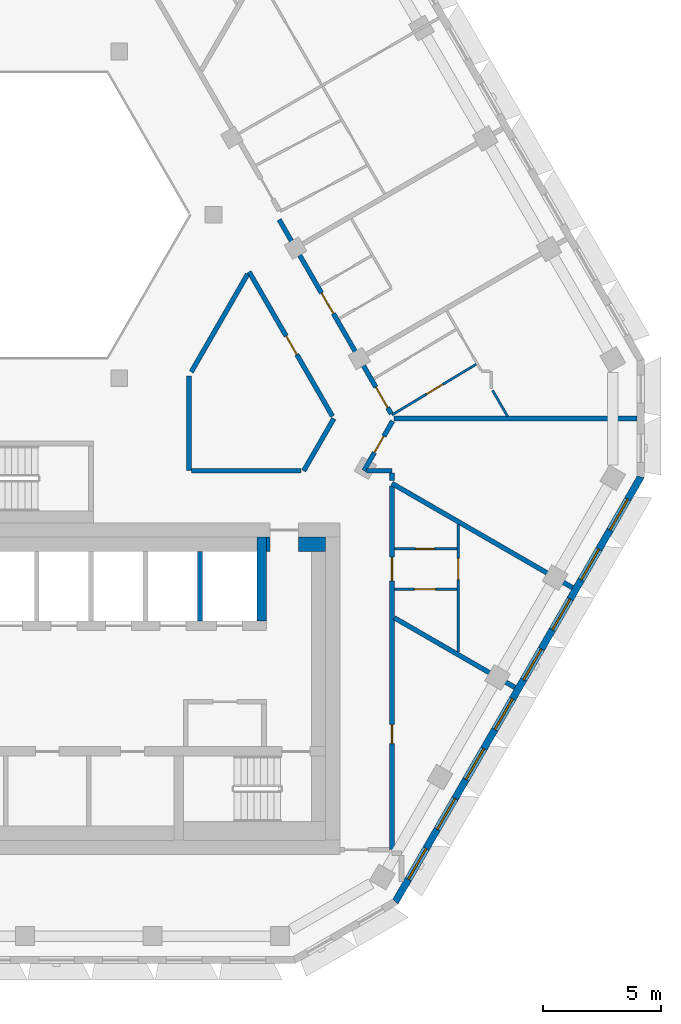
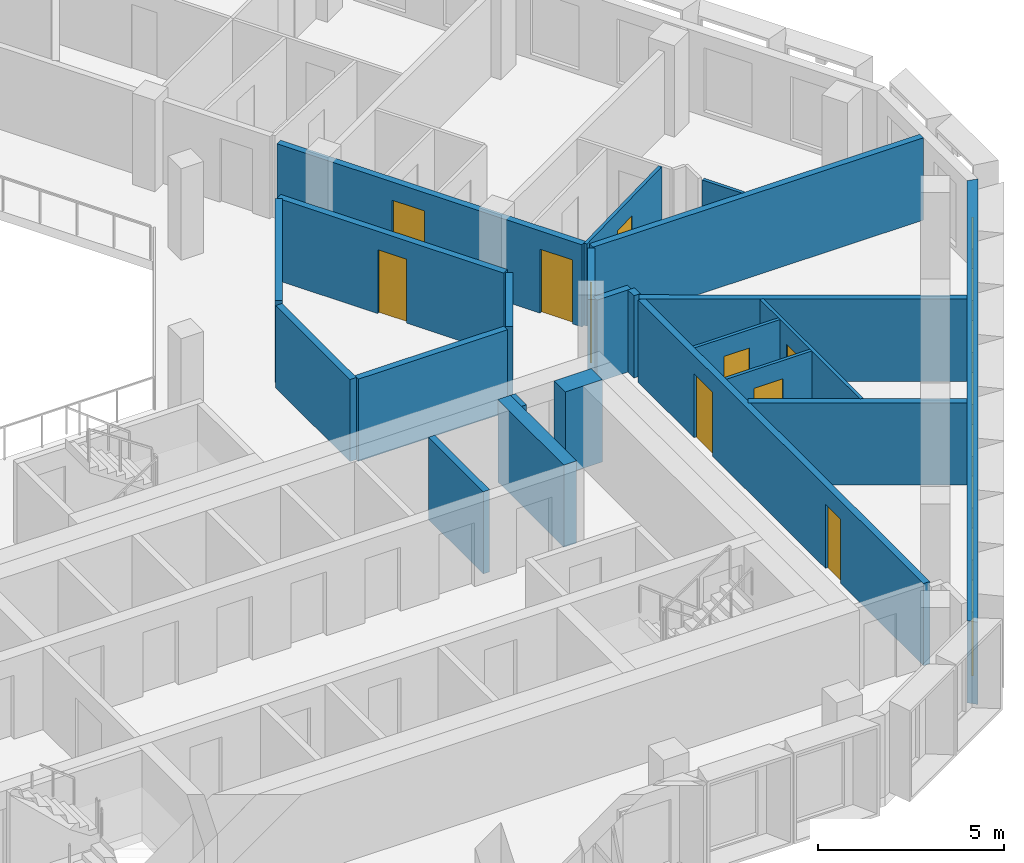
# One storey, part 6 of 18: 23 walls, 10 doors, 8 windows, 18 openings.
"""IFC4 building model written with IfcOpenShell, lengths in metres."""

from ifc_helpers import new_model, si_unit, direction, frame, frame_2d, origin, place, context, subcontext, project, spatial, polyline, rectangle, outline, extrude, material, layer, layer_set, type_object, element, fill, save


model = new_model("IFC4")

# Units and contexts
model_context = context("Model", 3, precision=1e-05, world=origin(), true_north=direction((0.0, 1.0)))
body_context = subcontext(model_context, "Body", "Model", "MODEL_VIEW")
ifc_project = project(units=[si_unit("LENGTHUNIT", "METRE"), si_unit("AREAUNIT", "SQUARE_METRE"), si_unit("VOLUMEUNIT", "CUBIC_METRE"), si_unit("PLANEANGLEUNIT", "RADIAN"), si_unit("MASSUNIT", "GRAM", prefix="KILO")], contexts=[model_context])

# Site, building, storey
site_placement = place(None, origin())
site = spatial("IfcSite", under=ifc_project, at=site_placement, CompositionType="ELEMENT")
building_placement = place(site_placement, origin())
building = spatial("IfcBuilding", under=site, at=building_placement, Name="Beryl Residences", CompositionType="ELEMENT")
storey_placement = place(building_placement, frame((0.0, 0.0, 190.199951171875)))
storey = spatial("IfcBuildingStorey", under=building, at=storey_placement, Name="L58", CompositionType="ELEMENT", Elevation=190.199951171875)

# Wall, openings, windows
ifc_material_1 = material(Name="Composite metal panel with mineral wool insulation")
ifc_layer_1 = layer(ifc_material_1, 0.300048828125)
ifc_layer_set_1 = layer_set([ifc_layer_1], Name="ES1 pale metal composite panel wall 300 mm")
wall_type_1 = type_object("IfcWallType", Name="ES1 pale metal composite panel wall 300 mm", PredefinedType="SOLIDWALL", material=ifc_layer_set_1)
wall_1_placement = place(storey_placement, frame((15.631103515625, -21.02490234375, 0.0), z_axis=(0.0, 0.0, 1.0), x_axis=(0.500018670445, 0.86601462413, 0.0)))
wall_1 = element("IfcWall", 1, at=wall_1_placement, inside=storey, type_object=wall_type_1, Name="ES1 external wall L58 SE", PredefinedType="SOLIDWALL", context=body_context, shape_type="SweptSolid", body=[
    extrude(outline(polyline([(0.0, -0.14990234375), (20.784912109375, -0.14990234375), (20.70458984375, 0.14990234375), (0.080322265625, 0.14990234375), (0.0, -0.14990234375)])), origin(), (0.0, 0.0, 1.0), 2.699951171875),
])
opening_1_placement = place(wall_1_placement, frame((1.1298828125, 0.0, 0.14990234375)))
opening_1 = element("IfcOpeningElement", 2, at=opening_1_placement, cuts=wall_1, Name="Opening W1", PredefinedType="OPENING", context=body_context, shape_type="SweptSolid", body=[
    extrude(rectangle(XDim=1.5, YDim=2.10009765625, at=frame_2d((0.75, 1.050048828125))), frame((0.0, 0.159912109375, 0.0), z_axis=(0.0, -1.0, 0.0), x_axis=(1.0, 0.0, 0.0)), (0.0, 0.0, 1.0), 0.320068359375),
])
opening_2_placement = place(wall_1_placement, frame((3.56201171875, 0.0, 0.14990234375)))
opening_2 = element("IfcOpeningElement", 3, at=opening_2_placement, cuts=wall_1, Name="Opening W1", PredefinedType="OPENING", context=body_context, shape_type="SweptSolid", body=[
    extrude(rectangle(XDim=1.5, YDim=2.10009765625, at=frame_2d((0.75, 1.050048828125))), frame((0.0, 0.159912109375, 0.0), z_axis=(0.0, -1.0, 0.0), x_axis=(1.0, 0.0, 0.0)), (0.0, 0.0, 1.0), 0.320068359375),
])
opening_3_placement = place(wall_1_placement, frame((5.993896484375, 0.0, 0.14990234375)))
opening_3 = element("IfcOpeningElement", 4, at=opening_3_placement, cuts=wall_1, Name="Opening W1", PredefinedType="OPENING", context=body_context, shape_type="SweptSolid", body=[
    extrude(rectangle(XDim=1.5, YDim=2.10009765625, at=frame_2d((0.75, 1.050048828125))), frame((0.0, 0.159912109375, 0.0), z_axis=(0.0, -1.0, 0.0), x_axis=(1.0, 0.0, 0.0)), (0.0, 0.0, 1.0), 0.320068359375),
])
opening_4_placement = place(wall_1_placement, frame((8.425048828125, 0.0, 0.14990234375)))
opening_4 = element("IfcOpeningElement", 5, at=opening_4_placement, cuts=wall_1, Name="Opening W1", PredefinedType="OPENING", context=body_context, shape_type="SweptSolid", body=[
    extrude(rectangle(XDim=1.5, YDim=2.10009765625, at=frame_2d((0.75, 1.050048828125))), frame((0.0, 0.159912109375, 0.0), z_axis=(0.0, -1.0, 0.0), x_axis=(1.0, 0.0, 0.0)), (0.0, 0.0, 1.0), 0.320068359375),
])
opening_5_placement = place(wall_1_placement, frame((10.85693359375, 0.0, 0.14990234375)))
opening_5 = element("IfcOpeningElement", 6, at=opening_5_placement, cuts=wall_1, Name="Opening W1", PredefinedType="OPENING", context=body_context, shape_type="SweptSolid", body=[
    extrude(rectangle(XDim=1.5, YDim=2.10009765625, at=frame_2d((0.75, 1.050048828125))), frame((0.0, 0.159912109375, 0.0), z_axis=(0.0, -1.0, 0.0), x_axis=(1.0, 0.0, 0.0)), (0.0, 0.0, 1.0), 0.320068359375),
])
opening_6_placement = place(wall_1_placement, frame((13.2890625, 0.0, 0.14990234375)))
opening_6 = element("IfcOpeningElement", 7, at=opening_6_placement, cuts=wall_1, Name="Opening W1", PredefinedType="OPENING", context=body_context, shape_type="SweptSolid", body=[
    extrude(rectangle(XDim=1.5, YDim=2.10009765625, at=frame_2d((0.75, 1.050048828125))), frame((0.0, 0.159912109375, 0.0), z_axis=(0.0, -1.0, 0.0), x_axis=(1.0, 0.0, 0.0)), (0.0, 0.0, 1.0), 0.320068359375),
])
opening_7_placement = place(wall_1_placement, frame((15.721923828125, 0.0, 0.14990234375)))
opening_7 = element("IfcOpeningElement", 8, at=opening_7_placement, cuts=wall_1, Name="Opening W1", PredefinedType="OPENING", context=body_context, shape_type="SweptSolid", body=[
    extrude(rectangle(XDim=1.5, YDim=2.10009765625, at=frame_2d((0.75, 1.050048828125))), frame((0.0, 0.159912109375, 0.0), z_axis=(0.0, -1.0, 0.0), x_axis=(1.0, 0.0, 0.0)), (0.0, 0.0, 1.0), 0.320068359375),
])
opening_8_placement = place(wall_1_placement, frame((18.154052734375, 0.0, 0.14990234375)))
opening_8 = element("IfcOpeningElement", 9, at=opening_8_placement, cuts=wall_1, Name="Opening W1", PredefinedType="OPENING", context=body_context, shape_type="SweptSolid", body=[
    extrude(rectangle(XDim=1.5, YDim=2.10009765625, at=frame_2d((0.75, 1.050048828125))), frame((0.0, 0.159912109375, 0.0), z_axis=(0.0, -1.0, 0.0), x_axis=(1.0, 0.0, 0.0)), (0.0, 0.0, 1.0), 0.320068359375),
])
ifc_material_2 = material(Name="Aluminium and clear glass", Category="aluminium")
window_type = type_object("IfcWindowType", Name="W1 cell window 1500 x 2100 mm", PartitioningType="SINGLE_PANEL", PredefinedType="WINDOW", material=ifc_material_2)
window_1_placement = place(opening_1_placement, origin())
window_1 = element("IfcWindow", 10, at=window_1_placement, inside=storey, type_object=window_type, Name="W1 window L58 SE 1", OverallHeight=2.10009765625, OverallWidth=1.5, PartitioningType="SINGLE_PANEL", PredefinedType="WINDOW", context=body_context, shape_type="SweptSolid", body=[
    extrude(rectangle(XDim=1.5, YDim=2.10009765625, at=frame_2d((0.75, 1.050048828125))), frame((0.0, 0.030029296875, 0.0), z_axis=(0.0, -1.0, 0.0), x_axis=(1.0, 0.0, 0.0)), (0.0, 0.0, 1.0), 0.06005859375),
])
fill(opening_1, window_1)
window_2_placement = place(opening_2_placement, origin())
window_2 = element("IfcWindow", 11, at=window_2_placement, inside=storey, type_object=window_type, Name="W1 window L58 SE 2", OverallHeight=2.10009765625, OverallWidth=1.5, PartitioningType="SINGLE_PANEL", PredefinedType="WINDOW", context=body_context, shape_type="SweptSolid", body=[
    extrude(rectangle(XDim=1.5, YDim=2.10009765625, at=frame_2d((0.75, 1.050048828125))), frame((0.0, 0.030029296875, 0.0), z_axis=(0.0, -1.0, 0.0), x_axis=(1.0, 0.0, 0.0)), (0.0, 0.0, 1.0), 0.06005859375),
])
fill(opening_2, window_2)
window_3_placement = place(opening_3_placement, origin())
window_3 = element("IfcWindow", 12, at=window_3_placement, inside=storey, type_object=window_type, Name="W1 window L58 SE 3", OverallHeight=2.10009765625, OverallWidth=1.5, PartitioningType="SINGLE_PANEL", PredefinedType="WINDOW", context=body_context, shape_type="SweptSolid", body=[
    extrude(rectangle(XDim=1.5, YDim=2.10009765625, at=frame_2d((0.75, 1.050048828125))), frame((0.0, 0.030029296875, 0.0), z_axis=(0.0, -1.0, 0.0), x_axis=(1.0, 0.0, 0.0)), (0.0, 0.0, 1.0), 0.06005859375),
])
fill(opening_3, window_3)
window_4_placement = place(opening_4_placement, origin())
window_4 = element("IfcWindow", 13, at=window_4_placement, inside=storey, type_object=window_type, Name="W1 window L58 SE 4", OverallHeight=2.10009765625, OverallWidth=1.5, PartitioningType="SINGLE_PANEL", PredefinedType="WINDOW", context=body_context, shape_type="SweptSolid", body=[
    extrude(rectangle(XDim=1.5, YDim=2.10009765625, at=frame_2d((0.75, 1.050048828125))), frame((0.0, 0.030029296875, 0.0), z_axis=(0.0, -1.0, 0.0), x_axis=(1.0, 0.0, 0.0)), (0.0, 0.0, 1.0), 0.06005859375),
])
fill(opening_4, window_4)
window_5_placement = place(opening_5_placement, origin())
window_5 = element("IfcWindow", 14, at=window_5_placement, inside=storey, type_object=window_type, Name="W1 window L58 SE 5", OverallHeight=2.10009765625, OverallWidth=1.5, PartitioningType="SINGLE_PANEL", PredefinedType="WINDOW", context=body_context, shape_type="SweptSolid", body=[
    extrude(rectangle(XDim=1.5, YDim=2.10009765625, at=frame_2d((0.75, 1.050048828125))), frame((0.0, 0.030029296875, 0.0), z_axis=(0.0, -1.0, 0.0), x_axis=(1.0, 0.0, 0.0)), (0.0, 0.0, 1.0), 0.06005859375),
])
fill(opening_5, window_5)
window_6_placement = place(opening_6_placement, origin())
window_6 = element("IfcWindow", 15, at=window_6_placement, inside=storey, type_object=window_type, Name="W1 window L58 SE 6", OverallHeight=2.10009765625, OverallWidth=1.5, PartitioningType="SINGLE_PANEL", PredefinedType="WINDOW", context=body_context, shape_type="SweptSolid", body=[
    extrude(rectangle(XDim=1.5, YDim=2.10009765625, at=frame_2d((0.75, 1.050048828125))), frame((0.0, 0.030029296875, 0.0), z_axis=(0.0, -1.0, 0.0), x_axis=(1.0, 0.0, 0.0)), (0.0, 0.0, 1.0), 0.06005859375),
])
fill(opening_6, window_6)
window_7_placement = place(opening_7_placement, origin())
window_7 = element("IfcWindow", 16, at=window_7_placement, inside=storey, type_object=window_type, Name="W1 window L58 SE 7", OverallHeight=2.10009765625, OverallWidth=1.5, PartitioningType="SINGLE_PANEL", PredefinedType="WINDOW", context=body_context, shape_type="SweptSolid", body=[
    extrude(rectangle(XDim=1.5, YDim=2.10009765625, at=frame_2d((0.75, 1.050048828125))), frame((0.0, 0.030029296875, 0.0), z_axis=(0.0, -1.0, 0.0), x_axis=(1.0, 0.0, 0.0)), (0.0, 0.0, 1.0), 0.06005859375),
])
fill(opening_7, window_7)
window_8_placement = place(opening_8_placement, origin())
window_8 = element("IfcWindow", 17, at=window_8_placement, inside=storey, type_object=window_type, Name="W1 window L58 SE 8", OverallHeight=2.10009765625, OverallWidth=1.5, PartitioningType="SINGLE_PANEL", PredefinedType="WINDOW", context=body_context, shape_type="SweptSolid", body=[
    extrude(rectangle(XDim=1.5, YDim=2.10009765625, at=frame_2d((0.75, 1.050048828125))), frame((0.0, 0.030029296875, 0.0), z_axis=(0.0, -1.0, 0.0), x_axis=(1.0, 0.0, 0.0)), (0.0, 0.0, 1.0), 0.06005859375),
])
fill(opening_8, window_8)

# Wall
ifc_material_3 = material(Name="Gypsum board partition on steel studs", Category="steel")
ifc_layer_2 = layer(ifc_material_3, 0.10009765625)
ifc_layer_set_2 = layer_set([ifc_layer_2], Name="PT1 partition 100 mm gypsum board on steel studs")
wall_type_2 = type_object("IfcWallType", Name="PT1 partition 100 mm gypsum board on steel studs", PredefinedType="PARTITIONING", material=ifc_layer_set_2)
wall_2_placement = place(storey_placement, frame((19.75, 0.592041015625, 0.0), z_axis=(0.0, 0.0, 1.0), x_axis=(0.499974077718, -0.866040369504, 0.0)))
element("IfcWall", 18, at=wall_2_placement, inside=storey, type_object=wall_type_2, Name="Wall PT1 L58 005", PredefinedType="PARTITIONING", context=body_context, shape_type="SweptSolid", body=[
    extrude(rectangle(XDim=1.259765625, YDim=0.10009765625, at=frame_2d((0.6298828125, 0.0))), origin(), (0.0, 0.0, 1.0), 2.699951171875),
])

# Wall, opening, door
wall_3_placement = place(storey_placement, frame((15.60009765625, -6.10107421875, 0.0), z_axis=(0.0, 0.0, 1.0), x_axis=(1.0, 0.0, 0.0)))
wall_3 = element("IfcWall", 19, at=wall_3_placement, inside=storey, type_object=wall_type_2, Name="Wall PT1 L58 018", PredefinedType="PARTITIONING", context=body_context, shape_type="SweptSolid", body=[
    extrude(rectangle(XDim=2.64990234375, YDim=0.10009765625, at=frame_2d((1.324951171875, 0.0))), origin(), (0.0, 0.0, 1.0), 2.699951171875),
])
opening_9_placement = place(wall_3_placement, frame((0.89990234375, 0.0, 0.0)))
opening_9 = element("IfcOpeningElement", 20, at=opening_9_placement, cuts=wall_3, Name="Opening D1535", PredefinedType="OPENING", context=body_context, shape_type="SweptSolid", body=[
    extrude(rectangle(XDim=0.800048828125, YDim=2.10009765625, at=frame_2d((0.39990234375, 1.050048828125))), frame((0.0, 0.06005859375, 0.0), z_axis=(0.0, -1.0, 0.0), x_axis=(1.0, 0.0, 0.0)), (0.0, 0.0, 1.0), 0.1201171875),
])
ifc_material_4 = material(Name="Timber door leaf", Category="wood")
door_type_1 = type_object("IfcDoorType", Name="D3 bathroom door 800 x 2100 mm", OperationType="SINGLE_SWING_LEFT", PredefinedType="DOOR", material=ifc_material_4)
door_1_placement = place(opening_9_placement, origin())
door_1 = element("IfcDoor", 21, at=door_1_placement, inside=storey, type_object=door_type_1, Name="Door D1535 L58 001", OperationType="SINGLE_SWING_LEFT", OverallHeight=2.10009765625, OverallWidth=0.800048828125, PredefinedType="DOOR", context=body_context, shape_type="SweptSolid", body=[
    extrude(rectangle(XDim=0.800048828125, YDim=2.10009765625, at=frame_2d((0.39990234375, 1.050048828125))), frame((0.0, 0.02490234375, 0.0), z_axis=(0.0, -1.0, 0.0), x_axis=(1.0, 0.0, 0.0)), (0.0, 0.0, 1.0), 0.050048828125),
])
fill(opening_9, door_1)

wall_4_placement = place(storey_placement, frame((15.60009765625, -7.801025390625, 0.0), z_axis=(0.0, 0.0, 1.0), x_axis=(1.0, 0.0, 0.0)))
wall_4 = element("IfcWall", 22, at=wall_4_placement, inside=storey, type_object=wall_type_2, Name="Wall PT1 L58 019", PredefinedType="PARTITIONING", context=body_context, shape_type="SweptSolid", body=[
    extrude(rectangle(XDim=2.64990234375, YDim=0.10009765625, at=frame_2d((1.324951171875, 0.0))), origin(), (0.0, 0.0, 1.0), 2.699951171875),
])
opening_10_placement = place(wall_4_placement, frame((0.85009765625, 0.0, 0.0)))
opening_10 = element("IfcOpeningElement", 23, at=opening_10_placement, cuts=wall_4, Name="Opening D1536", PredefinedType="OPENING", context=body_context, shape_type="SweptSolid", body=[
    extrude(rectangle(XDim=0.89990234375, YDim=2.10009765625, at=frame_2d((0.449951171875, 1.050048828125))), frame((0.0, 0.06005859375, 0.0), z_axis=(0.0, -1.0, 0.0), x_axis=(1.0, 0.0, 0.0)), (0.0, 0.0, 1.0), 0.1201171875),
])
ifc_material_5 = material(Name="Timber door leaf", Category="wood")
door_type_2 = type_object("IfcDoorType", Name="D2 room door 900 x 2100 mm", OperationType="SINGLE_SWING_LEFT", PredefinedType="DOOR", material=ifc_material_5)
door_2_placement = place(opening_10_placement, origin())
door_2 = element("IfcDoor", 24, at=door_2_placement, inside=storey, type_object=door_type_2, Name="Door D1536 L58 001", OperationType="SINGLE_SWING_RIGHT", OverallHeight=2.10009765625, OverallWidth=0.89990234375, PredefinedType="DOOR", context=body_context, shape_type="SweptSolid", body=[
    extrude(rectangle(XDim=0.89990234375, YDim=2.10009765625, at=frame_2d((0.449951171875, 1.050048828125))), frame((0.0, 0.02490234375, 0.0), z_axis=(0.0, -1.0, 0.0), x_axis=(1.0, 0.0, 0.0)), (0.0, 0.0, 1.0), 0.050048828125),
])
fill(opening_10, door_2)

wall_5_placement = place(storey_placement, frame((18.300048828125, -10.451904296875, 0.0), z_axis=(0.0, 0.0, 1.0), x_axis=(0.0, 1.0, 0.0)))
wall_5 = element("IfcWall", 25, at=wall_5_placement, inside=storey, type_object=wall_type_2, Name="Wall PT1 L58 032", PredefinedType="PARTITIONING", context=body_context, shape_type="SweptSolid", body=[
    extrude(rectangle(XDim=5.385986328125, YDim=0.10009765625, at=frame_2d((2.69287109375, 0.0))), origin(), (0.0, 0.0, 1.0), 2.699951171875),
])
opening_11_placement = place(wall_5_placement, frame((3.051025390625, 0.0, 0.0)))
opening_11 = element("IfcOpeningElement", 26, at=opening_11_placement, cuts=wall_5, Name="Opening D1537", PredefinedType="OPENING", context=body_context, shape_type="SweptSolid", body=[
    extrude(rectangle(XDim=0.89990234375, YDim=2.10009765625, at=frame_2d((0.449951171875, 1.050048828125))), frame((0.0, 0.06005859375, 0.0), z_axis=(0.0, -1.0, 0.0), x_axis=(1.0, 0.0, 0.0)), (0.0, 0.0, 1.0), 0.1201171875),
])
door_3_placement = place(opening_11_placement, origin())
door_3 = element("IfcDoor", 27, at=door_3_placement, inside=storey, type_object=door_type_2, Name="Door D1537 L58 001", OperationType="SINGLE_SWING_LEFT", OverallHeight=2.10009765625, OverallWidth=0.89990234375, PredefinedType="DOOR", context=body_context, shape_type="SweptSolid", body=[
    extrude(rectangle(XDim=0.89990234375, YDim=2.10009765625, at=frame_2d((0.449951171875, 1.050048828125))), frame((0.0, 0.02490234375, 0.0), z_axis=(0.0, -1.0, 0.0), x_axis=(1.0, 0.0, 0.0)), (0.0, 0.0, 1.0), 0.050048828125),
])
fill(opening_11, door_3)

wall_6_placement = place(storey_placement, frame((15.4990234375, -0.444091796875, 0.0), z_axis=(0.0, 0.0, 1.0), x_axis=(0.857061798163, 0.515213619899, 0.0)))
wall_6 = element("IfcWall", 28, at=wall_6_placement, inside=storey, type_object=wall_type_2, Name="Wall PT1 L58 048", PredefinedType="PARTITIONING", context=body_context, shape_type="SweptSolid", body=[
    extrude(rectangle(XDim=4.150146484375, YDim=0.10009765625, at=frame_2d((2.0751953125, 0.0))), origin(), (0.0, 0.0, 1.0), 2.699951171875),
])
opening_12_placement = place(wall_6_placement, frame((1.699951171875, 0.0, 0.0)))
opening_12 = element("IfcOpeningElement", 29, at=opening_12_placement, cuts=wall_6, Name="Opening D1541", PredefinedType="OPENING", context=body_context, shape_type="SweptSolid", body=[
    extrude(rectangle(XDim=0.800048828125, YDim=2.10009765625, at=frame_2d((0.39990234375, 1.050048828125))), frame((0.0, 0.06005859375, 0.0), z_axis=(0.0, -1.0, 0.0), x_axis=(1.0, 0.0, 0.0)), (0.0, 0.0, 1.0), 0.1201171875),
])
door_4_placement = place(opening_12_placement, origin())
door_4 = element("IfcDoor", 30, at=door_4_placement, inside=storey, type_object=door_type_1, Name="Door D1541 L58 001", OperationType="SINGLE_SWING_LEFT", OverallHeight=2.10009765625, OverallWidth=0.800048828125, PredefinedType="DOOR", context=body_context, shape_type="SweptSolid", body=[
    extrude(rectangle(XDim=0.800048828125, YDim=2.10009765625, at=frame_2d((0.39990234375, 1.050048828125))), frame((0.0, 0.02490234375, 0.0), z_axis=(0.0, -1.0, 0.0), x_axis=(1.0, 0.0, 0.0)), (0.0, 0.0, 1.0), 0.050048828125),
])
fill(opening_12, door_4)

# Walls
ifc_material_6 = material(Name="Concrete masonry", Category="masonry")
ifc_layer_3 = layer(ifc_material_6, 0.14990234375)
ifc_layer_set_3 = layer_set([ifc_layer_3], Name="PT13-150 lobby wall 150 mm")
wall_type_3 = type_object("IfcWallType", Name="PT13-150 lobby wall 150 mm", PredefinedType="PARTITIONING", material=ifc_layer_set_3)
wall_7_placement = place(storey_placement, frame((10.27490234375, -6.199951171875, 0.0), z_axis=(0.0, 0.0, 1.0), x_axis=(0.0, 1.0, 0.0)))
element("IfcWall", 31, at=wall_7_placement, inside=storey, type_object=wall_type_3, Name="Lobby wall 28", PredefinedType="PARTITIONING", context=body_context, shape_type="SweptSolid", body=[
    extrude(rectangle(XDim=0.599853515625, YDim=0.14990234375, at=frame_2d((0.2998046875, 0.0))), origin(), (0.0, 0.0, 1.0), 2.699951171875),
])
ifc_material_7 = material(Name="Concrete masonry", Category="masonry")
ifc_layer_4 = layer(ifc_material_7, 0.60009765625)
ifc_layer_set_4 = layer_set([ifc_layer_4], Name="PT13-600 lobby wall 600 mm")
wall_type_4 = type_object("IfcWallType", Name="PT13-600 lobby wall 600 mm", PredefinedType="PARTITIONING", material=ifc_layer_set_4)
wall_8_placement = place(storey_placement, frame((11.550048828125, -5.89990234375, 0.0), z_axis=(0.0, 0.0, 1.0), x_axis=(1.0, 0.0, 0.0)))
element("IfcWall", 32, at=wall_8_placement, inside=storey, type_object=wall_type_4, Name="Lobby wall 29", PredefinedType="PARTITIONING", context=body_context, shape_type="SweptSolid", body=[
    extrude(rectangle(XDim=1.14990234375, YDim=0.60009765625, at=frame_2d((0.574951171875, 0.0))), origin(), (0.0, 0.0, 1.0), 2.699951171875),
])
ifc_material_8 = material(Name="Acoustic double stud gypsum board wall")
ifc_layer_5 = layer(ifc_material_8, 0.199951171875)
ifc_layer_set_5 = layer_set([ifc_layer_5], Name="PT3 party wall 200 mm acoustic double stud")
wall_type_5 = type_object("IfcWallType", Name="PT3 party wall 200 mm acoustic double stud", PredefinedType="PARTITIONING", material=ifc_layer_set_5)
wall_9_placement = place(storey_placement, frame((15.60009765625, -9.008056640625, 0.0), z_axis=(0.0, 0.0, 1.0), x_axis=(0.866013576751, -0.500020484464, 0.0)))
element("IfcWall", 33, at=wall_9_placement, inside=storey, type_object=wall_type_5, Name="Wall PT3 L58 005", PredefinedType="PARTITIONING", context=body_context, shape_type="SweptSolid", body=[
    extrude(rectangle(XDim=5.885498046875, YDim=0.199951171875, at=frame_2d((2.94287109375, 0.0))), origin(), (0.0, 0.0, 1.0), 2.699951171875),
])
wall_10_placement = place(storey_placement, frame((15.5, -3.333984375, 0.0), z_axis=(0.0, 0.0, 1.0), x_axis=(0.866001896501, -0.5000407136, 0.0)))
element("IfcWall", 34, at=wall_10_placement, inside=storey, type_object=wall_type_5, Name="Wall PT3 L58 006", PredefinedType="PARTITIONING", context=body_context, shape_type="SweptSolid", body=[
    extrude(rectangle(XDim=8.809326171875, YDim=0.199951171875, at=frame_2d((4.40478515625, 0.0))), origin(), (0.0, 0.0, 1.0), 2.699951171875),
])
wall_11_placement = place(storey_placement, frame((15.587890625, -0.59912109375, 0.0), z_axis=(0.0, 0.0, 1.0), x_axis=(1.0, 0.0, 0.0)))
element("IfcWall", 35, at=wall_11_placement, inside=storey, type_object=wall_type_5, Name="Wall PT3 L58 007", PredefinedType="PARTITIONING", context=body_context, shape_type="SweptSolid", body=[
    extrude(rectangle(XDim=10.26611328125, YDim=0.199951171875, at=frame_2d((5.133056640625, 0.0))), origin(), (0.0, 0.0, 1.0), 2.699951171875),
])

# Wall, opening, door
ifc_material_9 = material(Name="Double stud gypsum board wall")
ifc_layer_6 = layer(ifc_material_9, 0.199951171875)
ifc_layer_set_6 = layer_set([ifc_layer_6], Name="PT4 corridor wall 200 mm double stud")
wall_type_6 = type_object("IfcWallType", Name="PT4 corridor wall 200 mm double stud", PredefinedType="PARTITIONING", material=ifc_layer_set_6)
wall_12_placement = place(storey_placement, frame((9.468994140625, 5.60009765625, 0.0), z_axis=(0.0, 0.0, 1.0), x_axis=(0.499964524401, -0.866045884662, 0.0)))
wall_12 = element("IfcWall", 36, at=wall_12_placement, inside=storey, type_object=wall_type_6, Name="Wall PT4 L58 004", PredefinedType="PARTITIONING", context=body_context, shape_type="SweptSolid", body=[
    extrude(rectangle(XDim=7.04248046875, YDim=0.199951171875, at=frame_2d((3.521240234375, 0.0))), origin(), (0.0, 0.0, 1.0), 2.699951171875),
])
opening_13_placement = place(wall_12_placement, frame((3.12890625, 0.0, 0.0)))
opening_13 = element("IfcOpeningElement", 37, at=opening_13_placement, cuts=wall_12, Name="Opening D1547", PredefinedType="OPENING", context=body_context, shape_type="SweptSolid", body=[
    extrude(rectangle(XDim=0.89990234375, YDim=2.10009765625, at=frame_2d((0.449951171875, 1.050048828125))), frame((0.0, 0.10986328125, 0.0), z_axis=(0.0, -1.0, 0.0), x_axis=(1.0, 0.0, 0.0)), (0.0, 0.0, 1.0), 0.219970703125),
])
door_5_placement = place(opening_13_placement, origin())
door_5 = element("IfcDoor", 38, at=door_5_placement, inside=storey, type_object=door_type_2, Name="Door D1547 L58 001", OperationType="SINGLE_SWING_LEFT", OverallHeight=2.10009765625, OverallWidth=0.89990234375, PredefinedType="DOOR", context=body_context, shape_type="SweptSolid", body=[
    extrude(rectangle(XDim=0.89990234375, YDim=2.10009765625, at=frame_2d((0.449951171875, 1.050048828125))), frame((0.0, 0.02490234375, 0.0), z_axis=(0.0, -1.0, 0.0), x_axis=(1.0, 0.0, 0.0)), (0.0, 0.0, 1.0), 0.050048828125),
])
fill(opening_13, door_5)

# Wall, openings, doors
wall_13_placement = place(storey_placement, frame((10.739013671875, 7.800048828125, 0.0), z_axis=(0.0, 0.0, 1.0), x_axis=(0.500023726918, -0.866011704609, 0.0)))
wall_13 = element("IfcWall", 39, at=wall_13_placement, inside=storey, type_object=wall_type_6, Name="Wall PT4 L58 005", PredefinedType="PARTITIONING", context=body_context, shape_type="SweptSolid", body=[
    extrude(rectangle(XDim=9.4697265625, YDim=0.199951171875, at=frame_2d((4.73486328125, 0.0))), origin(), (0.0, 0.0, 1.0), 2.699951171875),
])
opening_14_placement = place(wall_13_placement, frame((8.16796875, 0.0, 0.0)))
opening_14 = element("IfcOpeningElement", 40, at=opening_14_placement, cuts=wall_13, Name="Opening D1539", PredefinedType="OPENING", context=body_context, shape_type="SweptSolid", body=[
    extrude(rectangle(XDim=1.0, YDim=2.10009765625, at=frame_2d((0.5, 1.050048828125))), frame((0.0, 0.10986328125, 0.0), z_axis=(0.0, -1.0, 0.0), x_axis=(1.0, 0.0, 0.0)), (0.0, 0.0, 1.0), 0.219970703125),
])
opening_15_placement = place(wall_13_placement, frame((3.577880859375, 0.0, 0.0)))
opening_15 = element("IfcOpeningElement", 41, at=opening_15_placement, cuts=wall_13, Name="Opening D1543", PredefinedType="OPENING", context=body_context, shape_type="SweptSolid", body=[
    extrude(rectangle(XDim=1.0, YDim=2.10009765625, at=frame_2d((0.5, 1.050048828125))), frame((0.0, 0.10986328125, 0.0), z_axis=(0.0, -1.0, 0.0), x_axis=(1.0, 0.0, 0.0)), (0.0, 0.0, 1.0), 0.219970703125),
])
ifc_material_10 = material(Name="Timber door leaf", Category="wood")
door_type_3 = type_object("IfcDoorType", Name="D1 flat entrance door 1000 x 2100 mm", OperationType="SINGLE_SWING_LEFT", PredefinedType="DOOR", material=ifc_material_10)
door_6_placement = place(opening_14_placement, origin())
door_6 = element("IfcDoor", 42, at=door_6_placement, inside=storey, type_object=door_type_3, Name="Door D1539 L58 001", OperationType="SINGLE_SWING_LEFT", OverallHeight=2.10009765625, OverallWidth=1.0, PredefinedType="DOOR", context=body_context, shape_type="SweptSolid", body=[
    extrude(rectangle(XDim=1.0, YDim=2.10009765625, at=frame_2d((0.5, 1.050048828125))), frame((0.0, 0.02490234375, 0.0), z_axis=(0.0, -1.0, 0.0), x_axis=(1.0, 0.0, 0.0)), (0.0, 0.0, 1.0), 0.050048828125),
])
fill(opening_14, door_6)
door_7_placement = place(opening_15_placement, origin())
door_7 = element("IfcDoor", 43, at=door_7_placement, inside=storey, type_object=door_type_3, Name="Door D1543 L58 001", OperationType="SINGLE_SWING_LEFT", OverallHeight=2.10009765625, OverallWidth=1.0, PredefinedType="DOOR", context=body_context, shape_type="SweptSolid", body=[
    extrude(rectangle(XDim=1.0, YDim=2.10009765625, at=frame_2d((0.5, 1.050048828125))), frame((0.0, 0.02490234375, 0.0), z_axis=(0.0, -1.0, 0.0), x_axis=(1.0, 0.0, 0.0)), (0.0, 0.0, 1.0), 0.050048828125),
])
fill(opening_15, door_7)

# Walls
wall_14_placement = place(storey_placement, frame((15.5, -2.90087890625, 0.0), z_axis=(0.0, 0.0, 1.0), x_axis=(0.0, -1.0, 0.0)))
element("IfcWall", 44, at=wall_14_placement, inside=storey, type_object=wall_type_6, Name="Wall PT4 L58 007", PredefinedType="PARTITIONING", context=body_context, shape_type="SweptSolid", body=[
    extrude(rectangle(XDim=0.318115234375, YDim=0.199951171875, at=frame_2d((0.1591796875, 0.0))), origin(), (0.0, 0.0, 1.0), 2.699951171875),
])
wall_15_placement = place(storey_placement, frame((7.028076171875, -2.800048828125, 0.0), z_axis=(0.0, 0.0, 1.0), x_axis=(1.0, 0.0, 0.0)))
element("IfcWall", 45, at=wall_15_placement, inside=storey, type_object=wall_type_6, Name="Wall PT4 L58 012", PredefinedType="PARTITIONING", context=body_context, shape_type="SweptSolid", body=[
    extrude(rectangle(XDim=4.634033203125, YDim=0.199951171875, at=frame_2d((2.31689453125, 0.0))), origin(), (0.0, 0.0, 1.0), 2.699951171875),
])
wall_16_placement = place(storey_placement, frame((14.43310546875, -2.800048828125, 0.0), z_axis=(0.0, 0.0, 1.0), x_axis=(1.0, 0.0, 0.0)))
element("IfcWall", 46, at=wall_16_placement, inside=storey, type_object=wall_type_6, Name="Wall PT4 L58 013", PredefinedType="PARTITIONING", context=body_context, shape_type="SweptSolid", body=[
    extrude(rectangle(XDim=1.06591796875, YDim=0.199951171875, at=frame_2d((0.532958984375, 0.0))), origin(), (0.0, 0.0, 1.0), 2.699951171875),
])
wall_17_placement = place(storey_placement, frame((7.028076171875, 1.373046875, 0.0), z_axis=(0.0, 0.0, 1.0), x_axis=(0.499953126767, 0.866052464367, 0.0)))
element("IfcWall", 47, at=wall_17_placement, inside=storey, type_object=wall_type_6, Name="Wall PT4 L58 015", PredefinedType="PARTITIONING", context=body_context, shape_type="SweptSolid", body=[
    extrude(rectangle(XDim=4.76416015625, YDim=0.199951171875, at=frame_2d((2.382080078125, 0.0))), origin(), (0.0, 0.0, 1.0), 2.699951171875),
])
wall_18_placement = place(storey_placement, frame((11.777099609375, -2.800048828125, 0.0), z_axis=(0.0, 0.0, 1.0), x_axis=(0.500085537782, 0.86597601289, 0.0)))
element("IfcWall", 48, at=wall_18_placement, inside=storey, type_object=wall_type_6, Name="Wall PT4 L58 016", PredefinedType="PARTITIONING", context=body_context, shape_type="SweptSolid", body=[
    extrude(rectangle(XDim=2.54150390625, YDim=0.199951171875, at=frame_2d((1.270751953125, 0.0))), origin(), (0.0, 0.0, 1.0), 2.699951171875),
])

# Wall, opening, door
wall_19_placement = place(storey_placement, frame((14.318115234375, -2.800048828125, 0.0), z_axis=(0.0, 0.0, 1.0), x_axis=(0.49964693309, 0.866229151122, 0.0)))
wall_19 = element("IfcWall", 49, at=wall_19_placement, inside=storey, type_object=wall_type_6, Name="Wall PT4 L58 017", PredefinedType="PARTITIONING", context=body_context, shape_type="SweptSolid", body=[
    extrude(rectangle(XDim=2.425537109375, YDim=0.199951171875, at=frame_2d((1.212890625, 0.0))), origin(), (0.0, 0.0, 1.0), 2.699951171875),
])
opening_16_placement = place(wall_19_placement, frame((0.885986328125, 0.0, 0.0)))
opening_16 = element("IfcOpeningElement", 50, at=opening_16_placement, cuts=wall_19, Name="Opening D1538", PredefinedType="OPENING", context=body_context, shape_type="SweptSolid", body=[
    extrude(rectangle(XDim=0.800048828125, YDim=2.10009765625, at=frame_2d((0.39990234375, 1.050048828125))), frame((0.0, 0.10986328125, 0.0), z_axis=(0.0, -1.0, 0.0), x_axis=(1.0, 0.0, 0.0)), (0.0, 0.0, 1.0), 0.219970703125),
])
door_8_placement = place(opening_16_placement, origin())
door_8 = element("IfcDoor", 51, at=door_8_placement, inside=storey, type_object=door_type_1, Name="Door D1538 L58 001", OperationType="SINGLE_SWING_RIGHT", OverallHeight=2.10009765625, OverallWidth=0.800048828125, PredefinedType="DOOR", context=body_context, shape_type="SweptSolid", body=[
    extrude(rectangle(XDim=0.800048828125, YDim=2.10009765625, at=frame_2d((0.39990234375, 1.050048828125))), frame((0.0, 0.02490234375, 0.0), z_axis=(0.0, -1.0, 0.0), x_axis=(1.0, 0.0, 0.0)), (0.0, 0.0, 1.0), 0.050048828125),
])
fill(opening_16, door_8)

# Wall
wall_20_placement = place(storey_placement, frame((6.927978515625, -2.800048828125, 0.0), z_axis=(0.0, 0.0, 1.0), x_axis=(0.0, 1.0, 0.0)))
element("IfcWall", 52, at=wall_20_placement, inside=storey, type_object=wall_type_6, Name="Wall PT4 L58 021", PredefinedType="PARTITIONING", context=body_context, shape_type="SweptSolid", body=[
    extrude(rectangle(XDim=4.0, YDim=0.199951171875, at=frame_2d((2.0, 0.0))), origin(), (0.0, 0.0, 1.0), 2.699951171875),
])

# Wall, openings, doors
wall_21_placement = place(storey_placement, frame((15.5, -18.799072265625, 0.0), z_axis=(0.0, 0.0, 1.0), x_axis=(0.0, 1.0, 0.0)))
wall_21 = element("IfcWall", 53, at=wall_21_placement, inside=storey, type_object=wall_type_6, Name="Wall PT4 L58 022", PredefinedType="PARTITIONING", context=body_context, shape_type="SweptSolid", body=[
    extrude(rectangle(XDim=15.34912109375, YDim=0.199951171875, at=frame_2d((7.674560546875, 0.0))), origin(), (0.0, 0.0, 1.0), 2.699951171875),
])
opening_17_placement = place(wall_21_placement, frame((4.47705078125, 0.0, 0.0)))
opening_17 = element("IfcOpeningElement", 54, at=opening_17_placement, cuts=wall_21, Name="Opening D1533", PredefinedType="OPENING", context=body_context, shape_type="SweptSolid", body=[
    extrude(rectangle(XDim=0.800048828125, YDim=2.10009765625, at=frame_2d((0.39990234375, 1.050048828125))), frame((0.0, 0.10986328125, 0.0), z_axis=(0.0, -1.0, 0.0), x_axis=(1.0, 0.0, 0.0)), (0.0, 0.0, 1.0), 0.219970703125),
])
opening_18_placement = place(wall_21_placement, frame((11.347900390625, 0.0, 0.0)))
opening_18 = element("IfcOpeningElement", 55, at=opening_18_placement, cuts=wall_21, Name="Opening D1534", PredefinedType="OPENING", context=body_context, shape_type="SweptSolid", body=[
    extrude(rectangle(XDim=1.0, YDim=2.10009765625, at=frame_2d((0.5, 1.050048828125))), frame((0.0, 0.10986328125, 0.0), z_axis=(0.0, -1.0, 0.0), x_axis=(1.0, 0.0, 0.0)), (0.0, 0.0, 1.0), 0.219970703125),
])
door_9_placement = place(opening_18_placement, origin())
door_9 = element("IfcDoor", 56, at=door_9_placement, inside=storey, type_object=door_type_3, Name="Door D1534 L58 001", OperationType="SINGLE_SWING_RIGHT", OverallHeight=2.10009765625, OverallWidth=1.0, PredefinedType="DOOR", context=body_context, shape_type="SweptSolid", body=[
    extrude(rectangle(XDim=1.0, YDim=2.10009765625, at=frame_2d((0.5, 1.050048828125))), frame((0.0, 0.02490234375, 0.0), z_axis=(0.0, -1.0, 0.0), x_axis=(1.0, 0.0, 0.0)), (0.0, 0.0, 1.0), 0.050048828125),
])
fill(opening_18, door_9)
door_10_placement = place(opening_17_placement, origin())
door_10 = element("IfcDoor", 57, at=door_10_placement, inside=storey, type_object=door_type_1, Name="Door D1533 L58 001", OperationType="SINGLE_SWING_LEFT", OverallHeight=2.10009765625, OverallWidth=0.800048828125, PredefinedType="DOOR", context=body_context, shape_type="SweptSolid", body=[
    extrude(rectangle(XDim=0.800048828125, YDim=2.10009765625, at=frame_2d((0.39990234375, 1.050048828125))), frame((0.0, 0.02490234375, 0.0), z_axis=(0.0, -1.0, 0.0), x_axis=(1.0, 0.0, 0.0)), (0.0, 0.0, 1.0), 0.050048828125),
])
fill(opening_17, door_10)

# Walls
ifc_material_11 = material(Name="Concrete C40/50", Category="concrete")
ifc_layer_7 = layer(ifc_material_11, 0.199951171875)
ifc_layer_set_7 = layer_set([ifc_layer_7], Name="PT6 lift shaft wall 200 mm reinforced concrete C40/50")
wall_type_7 = type_object("IfcWallType", Name="PT6 lift shaft wall 200 mm reinforced concrete C40/50", PredefinedType="SOLIDWALL", material=ifc_layer_set_7)
wall_22_placement = place(storey_placement, frame((7.39990234375, -9.14990234375, 0.0), z_axis=(0.0, 0.0, 1.0), x_axis=(0.0, 1.0, 0.0)))
element("IfcWall", 58, at=wall_22_placement, inside=storey, type_object=wall_type_7, Name="Lift shaft wall 26", PredefinedType="SOLIDWALL", context=body_context, shape_type="SweptSolid", body=[
    extrude(rectangle(XDim=2.949951171875, YDim=0.199951171875, at=frame_2d((1.47509765625, 0.0))), origin(), (0.0, 0.0, 1.0), 2.699951171875),
])
ifc_material_12 = material(Name="Concrete C50/60", Category="concrete")
ifc_layer_8 = layer(ifc_material_12, 0.39990234375)
ifc_layer_set_8 = layer_set([ifc_layer_8], Name="SW9 core internal wall 400 mm C50/60")
wall_type_8 = type_object("IfcWallType", Name="SW9 core internal wall 400 mm C50/60", PredefinedType="SHEAR", material=ifc_layer_set_8)
wall_23_placement = place(storey_placement, frame((10.0, -9.14990234375, 0.0), z_axis=(0.0, 0.0, 1.0), x_axis=(0.0, 1.0, 0.0)))
element("IfcWall", 59, at=wall_23_placement, inside=storey, type_object=wall_type_8, Name="Core wall XN2 L58", PredefinedType="SHEAR", context=body_context, shape_type="SweptSolid", body=[
    extrude(rectangle(XDim=3.5498046875, YDim=0.39990234375, at=frame_2d((1.77490234375, 0.0))), origin(), (0.0, 0.0, 1.0), 2.699951171875),
])

save(model, "model.ifc")
